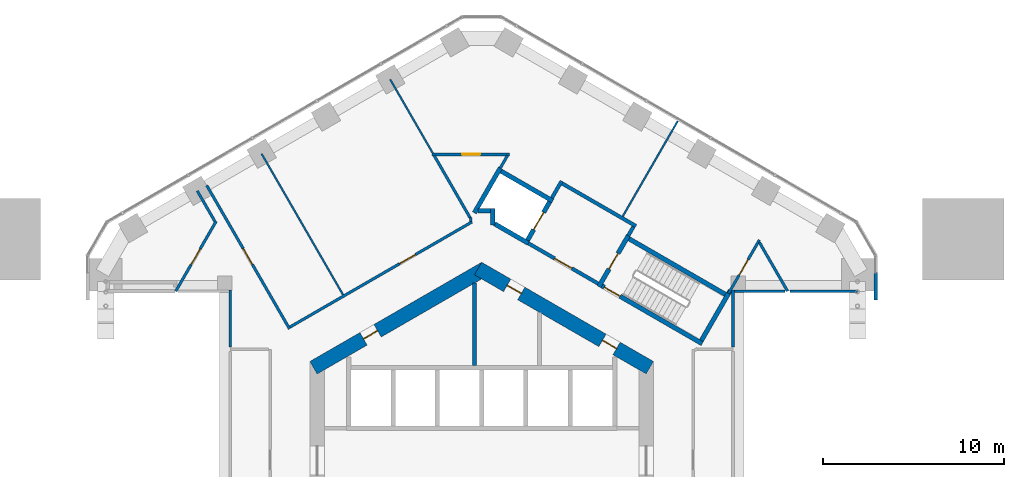
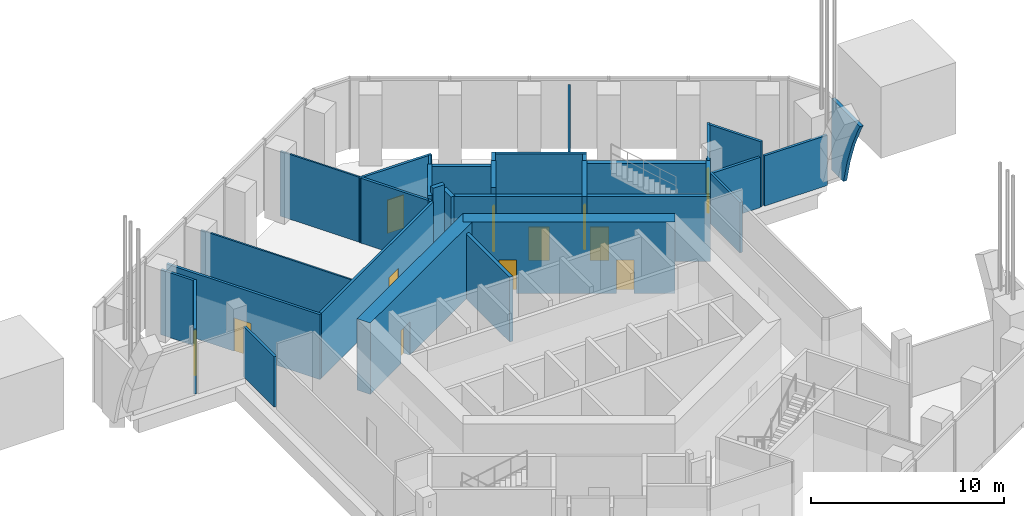
# One storey, part 11 of 14: 35 walls, 12 doors, 12 openings.
"""IFC4 building model written with IfcOpenShell, lengths in metres."""

import ifcopenshell
import ifcopenshell.guid

model = None  # the IFC model being written
_history = None  # IfcOwnerHistory: only IFC2X3 demands one
_inside = {}  # id of a spatial element -> (the spatial element, [elements in it])
_under = {}  # id of a project, library or spatial element -> (it, [spatial elements below it])
_declared = {}  # id of a project -> (the project, [libraries it declares])
_typed = {}  # id of a type object -> (the type object, [elements of that type])
_made_of = {}  # id of a material, layer set ... -> (it, [elements and type objects made of it])


def new_model(schema):
    """Start an empty IFC model of exactly this schema.

    Asked for "IFC4X3", IfcOpenShell would pick the latest addendum, in which some entities
    have other attributes; the version numbers below select the first issue.
    IFC2X3 requires an IfcOwnerHistory on every rooted entity: one is made here for all.
    """
    global model, _history
    if schema == "IFC4X3":
        model = ifcopenshell.file(schema_version=(4, 3, 0, 0))
    else:
        model = ifcopenshell.file(schema=schema)
    _inside.clear()
    _under.clear()
    _declared.clear()
    _typed.clear()
    _made_of.clear()
    _history = None
    if model.schema == "IFC2X3":
        org = make("IfcOrganization", Name="unknown")
        user = make(
            "IfcPersonAndOrganization",
            ThePerson=make("IfcPerson", FamilyName="unknown"),
            TheOrganization=org,
        )
        app = make(
            "IfcApplication",
            ApplicationDeveloper=org,
            Version="unknown",
            ApplicationFullName="unknown",
            ApplicationIdentifier="unknown",
        )
        _history = make(
            "IfcOwnerHistory",
            OwningUser=user,
            OwningApplication=app,
            ChangeAction="ADDED",
            CreationDate=0,
        )
    return model


def make(cls, **values):
    """One entity of the class cls with the attributes given. An attribute that is None is left unset."""
    return model.create_entity(
        cls, **{name: value for name, value in values.items() if value is not None}
    )


def rooted(cls, **values):
    """An entity with a GlobalId (a new one), such as an element, a storey or a relation."""
    return make(cls, GlobalId=ifcopenshell.guid.new(), OwnerHistory=_history, **values)


def si_unit(unit_type, name, prefix=None):
    """IfcSIUnit, for example si_unit("LENGTHUNIT", "METRE", prefix="MILLI")."""
    return make("IfcSIUnit", UnitType=unit_type, Prefix=prefix, Name=name)


def assignment(units):
    """IfcUnitAssignment: the units of a project."""
    return None if units is None else make("IfcUnitAssignment", Units=units)


def point(xyz):
    """IfcCartesianPoint."""
    return None if xyz is None else make("IfcCartesianPoint", Coordinates=xyz)


def direction(xyz):
    """IfcDirection."""
    return None if xyz is None else make("IfcDirection", DirectionRatios=xyz)


def frame(location, z_axis=None, x_axis=None):
    """IfcAxis2Placement3D, a coordinate frame: its origin and axes. An axis left out is left unset."""
    return make(
        "IfcAxis2Placement3D",
        Location=point(location),
        Axis=direction(z_axis),
        RefDirection=direction(x_axis),
    )


def frame_2d(location, x_axis=None):
    """IfcAxis2Placement2D, a coordinate frame in the plane: its origin and x axis."""
    return make(
        "IfcAxis2Placement2D", Location=point(location), RefDirection=direction(x_axis)
    )


def origin():
    """The frame at (0, 0, 0) with its axes left unset."""
    return frame((0.0, 0.0, 0.0))


def place(relative_to, where):
    """IfcLocalPlacement: puts the frame where relative to a parent placement (None: the world)."""
    return make(
        "IfcLocalPlacement", PlacementRelTo=relative_to, RelativePlacement=where
    )


def context(
    kind, dimensions, precision=None, world=None, true_north=None, identifier=None
):
    """IfcGeometricRepresentationContext, for example the 3D "Model" context."""
    return make(
        "IfcGeometricRepresentationContext",
        ContextIdentifier=identifier,
        ContextType=kind,
        CoordinateSpaceDimension=dimensions,
        Precision=precision,
        WorldCoordinateSystem=world,
        TrueNorth=true_north,
    )


def subcontext(parent, identifier, kind, view, scale=None):
    """IfcGeometricRepresentationSubContext, for example "Body" below "Model"."""
    return make(
        "IfcGeometricRepresentationSubContext",
        ContextIdentifier=identifier,
        ContextType=kind,
        ParentContext=parent,
        TargetScale=scale,
        TargetView=view,
    )


def project(units=None, contexts=None):
    """IfcProject with its units and contexts."""
    return rooted(
        "IfcProject",
        Name="project",
        RepresentationContexts=contexts,
        UnitsInContext=assignment(units),
    )


def spatial(cls, under=None, at=None, **own):
    """A site, building, storey or space (cls), placed at a placement, below another one or the project."""
    s = rooted(cls, ObjectPlacement=at, **own)
    if under is not None:
        _under.setdefault(under.id(), (under, []))[1].append(s)
    return s


def polyline(points):
    """IfcPolyline through the points."""
    return make("IfcPolyline", Points=[point(p) for p in points])


def profile(cls, at=None, kind="AREA", **sizes):
    """A parametric profile (cls). Its sizes go by their IFC names, for example OverallWidth=200.0."""
    return make(cls, ProfileType=kind, Position=at, **sizes)


def rectangle(**sizes):
    """IfcRectangleProfileDef."""
    return profile("IfcRectangleProfileDef", **sizes)


def outline(outer, holes=None, kind="AREA"):
    """IfcArbitraryClosedProfileDef: a profile drawn as a closed curve; with holes, ...WithVoids."""
    if holes is None:
        return make("IfcArbitraryClosedProfileDef", ProfileType=kind, OuterCurve=outer)
    return make(
        "IfcArbitraryProfileDefWithVoids",
        ProfileType=kind,
        OuterCurve=outer,
        InnerCurves=holes,
    )


def extrude(swept, where, along, depth):
    """IfcExtrudedAreaSolid: the profile swept, set in the frame where, extruded along a direction by depth."""
    return make(
        "IfcExtrudedAreaSolid",
        SweptArea=swept,
        Position=where,
        ExtrudedDirection=direction(along),
        Depth=depth,
    )


def shape(context_of_items, identifier, shape_type, items):
    """IfcShapeRepresentation: the items that make up one representation, for example the "Body"."""
    return make(
        "IfcShapeRepresentation",
        ContextOfItems=context_of_items,
        RepresentationIdentifier=identifier,
        RepresentationType=shape_type,
        Items=items,
    )


def material(Name=None, Category=None):
    """IfcMaterial."""
    return make("IfcMaterial", Name=Name, Category=Category)


def layer(
    of_material, thickness, ventilated=None, Name=None, Category=None, Priority=None
):
    """IfcMaterialLayer: one layer of a wall or slab, of a material (None: an air gap)."""
    return make(
        "IfcMaterialLayer",
        Material=of_material,
        LayerThickness=thickness,
        IsVentilated=ventilated,
        Name=Name,
        Category=Category,
        Priority=Priority,
    )


def layer_set(layers, Name=None):
    """IfcMaterialLayerSet."""
    return make("IfcMaterialLayerSet", MaterialLayers=layers, LayerSetName=Name)


def made_of(thing, what):
    """Note that an element or type object is made of a material, layer set ...; save() writes the relation."""
    if what is not None:
        _made_of.setdefault(what.id(), (what, []))[1].append(thing)
    return thing


def type_object(cls, material=None, **own):
    """A type object (cls), such as IfcWallType, which elements share."""
    return made_of(rooted(cls, **own), material)


def element(
    cls,
    number,
    at=None,
    inside=None,
    cuts=None,
    type_object=None,
    material=None,
    context=None,
    identifier="Body",
    shape_type=None,
    held_by="IfcProductDefinitionShape",
    body=None,
    shapes=None,
    **own,
):
    """One element of the class cls, such as IfcWall. Its Tag is "e" and its number.

    at: its placement. inside: the storey or other place that contains it. cuts: it is an
    opening in that element (IfcRelVoidsElement). A single representation is given by context,
    identifier, shape_type and body (its items); several are given by shapes. held_by: the class
    of the entity that holds the representations. save() writes the other relations.
    """
    e = rooted(cls, Tag="e%d" % number, ObjectPlacement=at, **own)
    if body is not None:
        shapes = [shape(context, identifier, shape_type, body)]
    if shapes is not None:
        e.Representation = make(held_by, Representations=shapes)
    if inside is not None:
        _inside.setdefault(inside.id(), (inside, []))[1].append(e)
    if cuts is not None:
        rooted(
            "IfcRelVoidsElement", RelatingBuildingElement=cuts, RelatedOpeningElement=e
        )
    if type_object is not None:
        _typed.setdefault(type_object.id(), (type_object, []))[1].append(e)
    return made_of(e, material)


def fill(opening, filler):
    """IfcRelFillsElement: the door or window that sits in an opening."""
    return rooted(
        "IfcRelFillsElement",
        RelatingOpeningElement=opening,
        RelatedBuildingElement=filler,
    )


def aggregate(whole, parts):
    """IfcRelAggregates: a whole, such as a stair, and the parts it consists of."""
    return rooted("IfcRelAggregates", RelatingObject=whole, RelatedObjects=parts)


def save(model, path):
    """Write the relations noted so far, then the file.

    IfcRelAggregates (storeys below a building ...), IfcRelContainedInSpatialStructure (elements
    in a storey), IfcRelDefinesByType, IfcRelAssociatesMaterial and IfcRelDeclares: one each for
    every whole, place, type object, material and project.
    """
    for whole, parts in _under.values():
        aggregate(whole, parts)
    for where, things in _inside.values():
        rooted(
            "IfcRelContainedInSpatialStructure",
            RelatedElements=things,
            RelatingStructure=where,
        )
    for kind, things in _typed.values():
        rooted("IfcRelDefinesByType", RelatedObjects=things, RelatingType=kind)
    for what, things in _made_of.values():
        rooted("IfcRelAssociatesMaterial", RelatedObjects=things, RelatingMaterial=what)
    for by, libraries in _declared.values():
        rooted("IfcRelDeclares", RelatingContext=by, RelatedDefinitions=libraries)
    model.write(path)


model = new_model("IFC4")

# Units and contexts
model_context = context("Model", 3, precision=1e-05, world=origin(), true_north=direction((0.0, 1.0)))
body_context = subcontext(model_context, "Body", "Model", "MODEL_VIEW")
ifc_project = project(units=[si_unit("LENGTHUNIT", "METRE"), si_unit("AREAUNIT", "SQUARE_METRE"), si_unit("VOLUMEUNIT", "CUBIC_METRE"), si_unit("PLANEANGLEUNIT", "RADIAN"), si_unit("MASSUNIT", "GRAM", prefix="KILO")], contexts=[model_context])

# Site, building, storey
site_placement = place(None, origin())
site = spatial("IfcSite", under=ifc_project, at=site_placement, CompositionType="ELEMENT")
building_placement = place(site_placement, origin())
building = spatial("IfcBuilding", under=site, at=building_placement, Name="Ayvan Gate Tower", CompositionType="ELEMENT")
storey_placement = place(building_placement, frame((0.0, 0.0, 7.0)))
storey = spatial("IfcBuildingStorey", under=building, at=storey_placement, Name="L01", CompositionType="ELEMENT", Elevation=7.0)

# Wall
ifc_material_1 = material(Name="Pale metal cladding on insulated wall")
ifc_layer_1 = layer(ifc_material_1, 0.199951171875)
ifc_layer_set_1 = layer_set([ifc_layer_1], Name="Pale metal cladding on insulated wall")
wall_type_1 = type_object("IfcWallType", Name="Arch tympanum wall 200", PredefinedType="SOLIDWALL", material=ifc_layer_set_1)
wall_1_placement = place(storey_placement, frame((21.6845703125, 10.399658203125, 0.0), z_axis=(-1.0, 0.0, 0.0), x_axis=(0.0, -1.0, 0.0)))
element("IfcWall", 1, at=wall_1_placement, inside=storey, type_object=wall_type_1, Name="Arch tympanum wall L01 face 0", PredefinedType="SOLIDWALL", context=body_context, shape_type="SweptSolid", body=[
    extrude(outline(polyline([(0.0, 0.0), (1.222900390625, 0.0), (1.582763671875, 1.421142578125), (2.091552734375, 2.8271484375), (2.737060546875, 4.17578125), (2.933837890625, 4.5), (0.0, 4.5), (0.0, 0.0)])), origin(), (0.0, 0.0, -1.0), 0.199951171875),
])

# Wall, openings, doors
ifc_material_2 = material(Name="Concrete C70/85", Category="concrete")
ifc_layer_2 = layer(ifc_material_2, 0.800048828125)
ifc_layer_set_2 = layer_set([ifc_layer_2], Name="Concrete C70/85")
wall_type_2 = type_object("IfcWallType", Name="Core wall 800 C70/85", PredefinedType="SHEAR", material=ifc_layer_set_2)
wall_2_placement = place(storey_placement, frame((9.300048828125, 5.138427734375, 0.0), z_axis=(0.0, 0.0, 1.0), x_axis=(-0.866023993627, 0.500002442456, 0.0)))
wall_2 = element("IfcWall", 2, at=wall_2_placement, inside=storey, type_object=wall_type_2, Name="CORE-L01-1", PredefinedType="SHEAR", context=body_context, shape_type="SweptSolid", body=[
    extrude(rectangle(XDim=10.9697265625, YDim=0.800048828125, at=frame_2d((5.48486328125, 0.0))), origin(), (0.0, 0.0, 1.0), 4.5),
])
opening_1_placement = place(wall_2_placement, frame((8.209716796875, 0.0, 0.0)))
opening_1 = element("IfcOpeningElement", 3, at=opening_1_placement, cuts=wall_2, Name="Opening L01-D28", PredefinedType="OPENING", context=body_context, shape_type="SweptSolid", body=[
    extrude(rectangle(XDim=0.89990234375, YDim=2.10009765625, at=frame_2d((0.449951171875, 1.050048828125))), frame((0.0, 0.409912109375, 0.0), z_axis=(0.0, -1.0, 0.0), x_axis=(1.0, 0.0, 0.0)), (0.0, 0.0, 1.0), 0.820068359375),
])
opening_2_placement = place(wall_2_placement, frame((2.1259765625, 0.0, 0.0)))
opening_2 = element("IfcOpeningElement", 4, at=opening_2_placement, cuts=wall_2, Name="Opening L01-D29", PredefinedType="OPENING", context=body_context, shape_type="SweptSolid", body=[
    extrude(rectangle(XDim=0.89990234375, YDim=2.10009765625, at=frame_2d((0.449951171875, 1.050048828125))), frame((0.0, 0.409912109375, 0.0), z_axis=(0.0, -1.0, 0.0), x_axis=(1.0, 0.0, 0.0)), (0.0, 0.0, 1.0), 0.820068359375),
])
ifc_material_3 = material(Name="Timber door leaf", Category="wood")
door_type_1 = type_object("IfcDoorType", Name="DT-900", OperationType="NOTDEFINED", PredefinedType="DOOR", material=ifc_material_3)
door_1_placement = place(opening_1_placement, origin())
door_1 = element("IfcDoor", 5, at=door_1_placement, inside=storey, type_object=door_type_1, Name="CD-L01-28", OperationType="SINGLE_SWING_LEFT", OverallHeight=2.10009765625, OverallWidth=0.89990234375, PredefinedType="DOOR", context=body_context, shape_type="SweptSolid", body=[
    extrude(rectangle(XDim=0.89990234375, YDim=2.10009765625, at=frame_2d((0.449951171875, 1.050048828125))), frame((0.0, 0.02490234375, 0.0), z_axis=(0.0, -1.0, 0.0), x_axis=(1.0, 0.0, 0.0)), (0.0, 0.0, 1.0), 0.050048828125),
])
fill(opening_1, door_1)
door_2_placement = place(opening_2_placement, origin())
door_2 = element("IfcDoor", 6, at=door_2_placement, inside=storey, type_object=door_type_1, Name="CD-L01-29", OperationType="SINGLE_SWING_RIGHT", OverallHeight=2.10009765625, OverallWidth=0.89990234375, PredefinedType="DOOR", context=body_context, shape_type="SweptSolid", body=[
    extrude(rectangle(XDim=0.89990234375, YDim=2.10009765625, at=frame_2d((0.449951171875, 1.050048828125))), frame((0.0, 0.02490234375, 0.0), z_axis=(0.0, -1.0, 0.0), x_axis=(1.0, 0.0, 0.0)), (0.0, 0.0, 1.0), 0.050048828125),
])
fill(opening_2, door_2)

# Wall, opening, door
wall_3_placement = place(storey_placement, frame((0.199951171875, 10.623291015625, 0.0), z_axis=(0.0, 0.0, 1.0), x_axis=(-0.866023993627, -0.500002442456, 0.0)))
wall_3 = element("IfcWall", 7, at=wall_3_placement, inside=storey, type_object=wall_type_2, Name="CORE-L01-2", PredefinedType="SHEAR", context=body_context, shape_type="SweptSolid", body=[
    extrude(rectangle(XDim=10.9697265625, YDim=0.800048828125, at=frame_2d((5.48486328125, 0.0))), origin(), (0.0, 0.0, 1.0), 4.5),
])
opening_3_placement = place(wall_3_placement, frame((6.877197265625, 0.0, 0.0)))
opening_3 = element("IfcOpeningElement", 8, at=opening_3_placement, cuts=wall_3, Name="Opening L01-D27", PredefinedType="OPENING", context=body_context, shape_type="SweptSolid", body=[
    extrude(rectangle(XDim=0.89990234375, YDim=2.10009765625, at=frame_2d((0.449951171875, 1.050048828125))), frame((0.0, 0.409912109375, 0.0), z_axis=(0.0, -1.0, 0.0), x_axis=(1.0, 0.0, 0.0)), (0.0, 0.0, 1.0), 0.820068359375),
])
door_3_placement = place(opening_3_placement, origin())
door_3 = element("IfcDoor", 9, at=door_3_placement, inside=storey, type_object=door_type_1, Name="CD-L01-27", OperationType="SINGLE_SWING_RIGHT", OverallHeight=2.10009765625, OverallWidth=0.89990234375, PredefinedType="DOOR", context=body_context, shape_type="SweptSolid", body=[
    extrude(rectangle(XDim=0.89990234375, YDim=2.10009765625, at=frame_2d((0.449951171875, 1.050048828125))), frame((0.0, 0.02490234375, 0.0), z_axis=(0.0, -1.0, 0.0), x_axis=(1.0, 0.0, 0.0)), (0.0, 0.0, 1.0), 0.050048828125),
])
fill(opening_3, door_3)

ifc_material_4 = material(Name="Plasterboard on steel stud", Category="steel")
ifc_layer_3 = layer(ifc_material_4, 0.14990234375)
ifc_layer_set_3 = layer_set([ifc_layer_3], Name="Plasterboard on steel stud")
wall_type_3 = type_object("IfcWallType", Name="WT-CORR-150", PredefinedType="PARTITIONING", material=ifc_layer_set_3)
wall_4_placement = place(storey_placement, frame((-16.918701171875, 9.367919921875, 0.0), z_axis=(0.0, 0.0, 1.0), x_axis=(0.500009203373, 0.866020090149, 0.0)))
wall_4 = element("IfcWall", 10, at=wall_4_placement, inside=storey, type_object=wall_type_3, Name="IW-L01-005", PredefinedType="PARTITIONING", context=body_context, shape_type="SweptSolid", body=[
    extrude(rectangle(XDim=4.47119140625, YDim=0.14990234375, at=frame_2d((2.235595703125, 0.0))), origin(), (0.0, 0.0, 1.0), 4.10009765625),
])
opening_4_placement = place(wall_4_placement, frame((1.697998046875, 0.0, 0.0)))
opening_4 = element("IfcOpeningElement", 11, at=opening_4_placement, cuts=wall_4, Name="Opening L01-D20", PredefinedType="OPENING", context=body_context, shape_type="SweptSolid", body=[
    extrude(rectangle(XDim=1.0, YDim=2.10009765625, at=frame_2d((0.5, 1.050048828125))), frame((0.0, 0.0849609375, 0.0), z_axis=(0.0, -1.0, 0.0), x_axis=(1.0, 0.0, 0.0)), (0.0, 0.0, 1.0), 0.169921875),
])
door_type_2 = type_object("IfcDoorType", Name="DT-1000", OperationType="NOTDEFINED", PredefinedType="DOOR", material=ifc_material_3)
door_4_placement = place(opening_4_placement, origin())
door_4 = element("IfcDoor", 12, at=door_4_placement, inside=storey, type_object=door_type_2, Name="ID-L01-020", OperationType="SINGLE_SWING_LEFT", OverallHeight=2.10009765625, OverallWidth=1.0, PredefinedType="DOOR", context=body_context, shape_type="SweptSolid", body=[
    extrude(rectangle(XDim=1.0, YDim=2.10009765625, at=frame_2d((0.5, 1.050048828125))), frame((0.0, 0.02490234375, 0.0), z_axis=(0.0, -1.0, 0.0), x_axis=(1.0, 0.0, 0.0)), (0.0, 0.0, 1.0), 0.050048828125),
])
fill(opening_4, door_4)

wall_5_placement = place(storey_placement, frame((-15.205078125, 15.221435546875, 0.0), z_axis=(0.0, 0.0, 1.0), x_axis=(0.500006245143, -0.86602179812, 0.0)))
wall_5 = element("IfcWall", 13, at=wall_5_placement, inside=storey, type_object=wall_type_3, Name="IW-L01-008", PredefinedType="PARTITIONING", context=body_context, shape_type="SweptSolid", body=[
    extrude(rectangle(XDim=9.15966796875, YDim=0.14990234375, at=frame_2d((4.579833984375, 0.0))), origin(), (0.0, 0.0, 1.0), 4.10009765625),
])
opening_5_placement = place(wall_5_placement, frame((4.042236328125, 0.0, 0.0)))
opening_5 = element("IfcOpeningElement", 14, at=opening_5_placement, cuts=wall_5, Name="Opening L01-D18", PredefinedType="OPENING", context=body_context, shape_type="SweptSolid", body=[
    extrude(rectangle(XDim=1.0, YDim=2.10009765625, at=frame_2d((0.5, 1.050048828125))), frame((0.0, 0.0849609375, 0.0), z_axis=(0.0, -1.0, 0.0), x_axis=(1.0, 0.0, 0.0)), (0.0, 0.0, 1.0), 0.169921875),
])
door_5_placement = place(opening_5_placement, origin())
door_5 = element("IfcDoor", 15, at=door_5_placement, inside=storey, type_object=door_type_2, Name="ID-L01-018", OperationType="SINGLE_SWING_LEFT", OverallHeight=2.10009765625, OverallWidth=1.0, PredefinedType="DOOR", context=body_context, shape_type="SweptSolid", body=[
    extrude(rectangle(XDim=1.0, YDim=2.10009765625, at=frame_2d((0.5, 1.050048828125))), frame((0.0, 0.02490234375, 0.0), z_axis=(0.0, -1.0, 0.0), x_axis=(1.0, 0.0, 0.0)), (0.0, 0.0, 1.0), 0.050048828125),
])
fill(opening_5, door_5)

# Walls
wall_6_placement = place(storey_placement, frame((-14.758056640625, 13.239990234375, 0.0), z_axis=(0.0, 0.0, 1.0), x_axis=(-0.49998396455, 0.866034661658, 0.0)))
element("IfcWall", 16, at=wall_6_placement, inside=storey, type_object=wall_type_3, Name="IW-L01-009", PredefinedType="PARTITIONING", context=body_context, shape_type="SweptSolid", body=[
    extrude(rectangle(XDim=1.939453125, YDim=0.14990234375, at=frame_2d((0.9697265625, 0.0))), origin(), (0.0, 0.0, 1.0), 4.10009765625),
])
wall_7_placement = place(storey_placement, frame((-13.89990234375, 6.28076171875, 0.0), z_axis=(0.0, 0.0, 1.0), x_axis=(0.0, 1.0, 0.0)))
element("IfcWall", 17, at=wall_7_placement, inside=storey, type_object=wall_type_3, Name="IW-L01-013", PredefinedType="PARTITIONING", context=body_context, shape_type="SweptSolid", body=[
    extrude(rectangle(XDim=3.162109375, YDim=0.14990234375, at=frame_2d((1.5810546875, 0.0))), origin(), (0.0, 0.0, 1.0), 3.175048828125),
])

# Wall, opening, door
wall_8_placement = place(storey_placement, frame((-10.59765625, 7.391357421875, 0.0), z_axis=(0.0, 0.0, 1.0), x_axis=(0.866022183431, 0.500005577774, 0.0)))
wall_8 = element("IfcWall", 18, at=wall_8_placement, inside=storey, type_object=wall_type_3, Name="IW-L01-022", PredefinedType="PARTITIONING", context=body_context, shape_type="SweptSolid", body=[
    extrude(rectangle(XDim=11.619384765625, YDim=0.14990234375, at=frame_2d((5.8095703125, 0.0))), origin(), (0.0, 0.0, 1.0), 4.10009765625),
])
opening_6_placement = place(wall_8_placement, frame((7.00146484375, 0.0, 0.0)))
opening_6 = element("IfcOpeningElement", 19, at=opening_6_placement, cuts=wall_8, Name="Opening L01-D17", PredefinedType="OPENING", context=body_context, shape_type="SweptSolid", body=[
    extrude(rectangle(XDim=1.0, YDim=2.10009765625, at=frame_2d((0.5, 1.050048828125))), frame((0.0, 0.0849609375, 0.0), z_axis=(0.0, -1.0, 0.0), x_axis=(1.0, 0.0, 0.0)), (0.0, 0.0, 1.0), 0.169921875),
])
door_6_placement = place(opening_6_placement, origin())
door_6 = element("IfcDoor", 20, at=door_6_placement, inside=storey, type_object=door_type_2, Name="ID-L01-017", OperationType="SINGLE_SWING_RIGHT", OverallHeight=2.10009765625, OverallWidth=1.0, PredefinedType="DOOR", context=body_context, shape_type="SweptSolid", body=[
    extrude(rectangle(XDim=1.0, YDim=2.10009765625, at=frame_2d((0.5, 1.050048828125))), frame((0.0, 0.02490234375, 0.0), z_axis=(0.0, -1.0, 0.0), x_axis=(1.0, 0.0, 0.0)), (0.0, 0.0, 1.0), 0.050048828125),
])
fill(opening_6, door_6)

wall_9_placement = place(storey_placement, frame((-2.739013671875, 16.935791015625, 0.0), z_axis=(0.0, 0.0, 1.0), x_axis=(1.0, 0.0, 0.0)))
wall_9 = element("IfcWall", 21, at=wall_9_placement, inside=storey, type_object=wall_type_3, Name="IW-L01-047", PredefinedType="PARTITIONING", context=body_context, shape_type="SweptSolid", body=[
    extrude(rectangle(XDim=4.278076171875, YDim=0.14990234375, at=frame_2d((2.13916015625, 0.0))), origin(), (0.0, 0.0, 1.0), 4.10009765625),
])
opening_7_placement = place(wall_9_placement, frame((1.656494140625, 0.0, 0.0)))
opening_7 = element("IfcOpeningElement", 22, at=opening_7_placement, cuts=wall_9, Name="Opening L01-D19", PredefinedType="OPENING", context=body_context, shape_type="SweptSolid", body=[
    extrude(rectangle(XDim=1.0, YDim=2.10009765625, at=frame_2d((0.5, 1.050048828125))), frame((0.0, 0.0849609375, 0.0), z_axis=(0.0, -1.0, 0.0), x_axis=(1.0, 0.0, 0.0)), (0.0, 0.0, 1.0), 0.169921875),
])
door_7_placement = place(opening_7_placement, origin())
door_7 = element("IfcDoor", 23, at=door_7_placement, inside=storey, type_object=door_type_2, Name="ID-L01-019", OperationType="SINGLE_SWING_RIGHT", OverallHeight=2.10009765625, OverallWidth=1.0, PredefinedType="DOOR", context=body_context, shape_type="SweptSolid", body=[
    extrude(rectangle(XDim=1.0, YDim=2.10009765625, at=frame_2d((0.5, 1.050048828125))), frame((0.0, 0.02490234375, 0.0), z_axis=(0.0, -1.0, 0.0), x_axis=(1.0, 0.0, 0.0)), (0.0, 0.0, 1.0), 0.050048828125),
])
fill(opening_7, door_7)

# Walls
wall_10_placement = place(storey_placement, frame((-0.60009765625, 13.238525390625, 0.0), z_axis=(0.0, 0.0, 1.0), x_axis=(0.0, 1.0, 0.0)))
element("IfcWall", 24, at=wall_10_placement, inside=storey, type_object=wall_type_3, Name="IW-L01-057", PredefinedType="PARTITIONING", context=body_context, shape_type="SweptSolid", body=[
    extrude(rectangle(XDim=0.197265625, YDim=0.14990234375, at=frame_2d((0.0986328125, 0.0))), origin(), (0.0, 0.0, 1.0), 4.10009765625),
])
wall_11_placement = place(storey_placement, frame((-0.637451171875, 13.42578125, 0.0), z_axis=(0.0, 0.0, 1.0), x_axis=(-0.500046503579, 0.865998553266, 0.0)))
element("IfcWall", 25, at=wall_11_placement, inside=storey, type_object=wall_type_3, Name="IW-L01-058", PredefinedType="PARTITIONING", context=body_context, shape_type="SweptSolid", body=[
    extrude(rectangle(XDim=3.97802734375, YDim=0.14990234375, at=frame_2d((1.989013671875, 0.0))), origin(), (0.0, 0.0, 1.0), 4.10009765625),
])
wall_12_placement = place(storey_placement, frame((1.426513671875, 16.870849609375, 0.0), z_axis=(0.0, 0.0, 1.0), x_axis=(-0.499951716245, -0.866053278629, 0.0)))
element("IfcWall", 26, at=wall_12_placement, inside=storey, type_object=wall_type_3, Name="IW-L01-067", PredefinedType="PARTITIONING", context=body_context, shape_type="SweptSolid", body=[
    extrude(rectangle(XDim=0.798828125, YDim=0.14990234375, at=frame_2d((0.3994140625, 0.0))), origin(), (0.0, 0.0, 1.0), 4.10009765625),
])

# Wall, opening, door
wall_13_placement = place(storey_placement, frame((13.647705078125, 9.23876953125, 0.0), z_axis=(0.0, 0.0, 1.0), x_axis=(0.500000491645, 0.866025119933, 0.0)))
wall_13 = element("IfcWall", 27, at=wall_13_placement, inside=storey, type_object=wall_type_3, Name="IW-L01-107", PredefinedType="PARTITIONING", context=body_context, shape_type="SweptSolid", body=[
    extrude(rectangle(XDim=3.42041015625, YDim=0.14990234375, at=frame_2d((1.710205078125, 0.0))), origin(), (0.0, 0.0, 1.0), 4.10009765625),
])
opening_8_placement = place(wall_13_placement, frame((1.172607421875, 0.0, 0.0)))
opening_8 = element("IfcOpeningElement", 28, at=opening_8_placement, cuts=wall_13, Name="Opening L01-D23", PredefinedType="OPENING", context=body_context, shape_type="SweptSolid", body=[
    extrude(rectangle(XDim=1.0, YDim=2.10009765625, at=frame_2d((0.5, 1.050048828125))), frame((0.0, 0.0849609375, 0.0), z_axis=(0.0, -1.0, 0.0), x_axis=(1.0, 0.0, 0.0)), (0.0, 0.0, 1.0), 0.169921875),
])
door_8_placement = place(opening_8_placement, origin())
door_8 = element("IfcDoor", 29, at=door_8_placement, inside=storey, type_object=door_type_2, Name="ID-L01-023", OperationType="SINGLE_SWING_RIGHT", OverallHeight=2.10009765625, OverallWidth=1.0, PredefinedType="DOOR", context=body_context, shape_type="SweptSolid", body=[
    extrude(rectangle(XDim=1.0, YDim=2.10009765625, at=frame_2d((0.5, 1.050048828125))), frame((0.0, 0.02490234375, 0.0), z_axis=(0.0, -1.0, 0.0), x_axis=(1.0, 0.0, 0.0)), (0.0, 0.0, 1.0), 0.050048828125),
])
fill(opening_8, door_8)

# Walls
wall_14_placement = place(storey_placement, frame((13.89990234375, 9.44287109375, 0.0), z_axis=(0.0, 0.0, 1.0), x_axis=(0.0, -1.0, 0.0)))
element("IfcWall", 30, at=wall_14_placement, inside=storey, type_object=wall_type_3, Name="IW-L01-113", PredefinedType="PARTITIONING", context=body_context, shape_type="SweptSolid", body=[
    extrude(rectangle(XDim=3.162109375, YDim=0.14990234375, at=frame_2d((1.5810546875, 0.0))), origin(), (0.0, 0.0, 1.0), 3.175048828125),
])
wall_15_placement = place(storey_placement, frame((15.35791015625, 12.07080078125, 0.0), z_axis=(0.0, 0.0, 1.0), x_axis=(0.500067767496, -0.865986274667, 0.0)))
element("IfcWall", 31, at=wall_15_placement, inside=storey, type_object=wall_type_3, Name="IW-L01-116", PredefinedType="PARTITIONING", context=body_context, shape_type="SweptSolid", body=[
    extrude(rectangle(XDim=3.12109375, YDim=0.14990234375, at=frame_2d((1.560546875, 0.0))), origin(), (0.0, 0.0, 1.0), 4.10009765625),
])
wall_16_placement = place(storey_placement, frame((16.780029296875, 9.367919921875, 0.0), z_axis=(0.0, 0.0, 1.0), x_axis=(-1.0, 0.0, 0.0)))
element("IfcWall", 32, at=wall_16_placement, inside=storey, type_object=wall_type_3, Name="IW-L01-117", PredefinedType="PARTITIONING", context=body_context, shape_type="SweptSolid", body=[
    extrude(rectangle(XDim=2.804931640625, YDim=0.14990234375, at=frame_2d((1.40234375, 0.0))), origin(), (0.0, 0.0, 1.0), 3.175048828125),
])
wall_17_placement = place(storey_placement, frame((20.78466796875, 9.367919921875, 0.0), z_axis=(0.0, 0.0, 1.0), x_axis=(-1.0, 0.0, 0.0)))
element("IfcWall", 33, at=wall_17_placement, inside=storey, type_object=wall_type_3, Name="IW-L01-118", PredefinedType="PARTITIONING", context=body_context, shape_type="SweptSolid", body=[
    extrude(rectangle(XDim=3.74609375, YDim=0.14990234375, at=frame_2d((1.873046875, 0.0))), origin(), (0.0, 0.0, 1.0), 3.175048828125),
])
ifc_layer_4 = layer(ifc_material_4, 0.10009765625)
ifc_layer_set_4 = layer_set([ifc_layer_4], Name="Plasterboard on steel stud")
wall_type_4 = type_object("IfcWallType", Name="WT-PART-100", PredefinedType="PARTITIONING", material=ifc_layer_set_4)
wall_18_placement = place(storey_placement, frame((-7.666015625, 9.170654296875, 0.0), z_axis=(0.0, 0.0, 1.0), x_axis=(-0.500009404554, 0.866019973994, 0.0)))
element("IfcWall", 34, at=wall_18_placement, inside=storey, type_object=wall_type_4, Name="IW-L01-029", PredefinedType="PARTITIONING", context=body_context, shape_type="SweptSolid", body=[
    extrude(rectangle(XDim=9.009521484375, YDim=0.10009765625, at=frame_2d((4.5048828125, 0.0))), origin(), (0.0, 0.0, 1.0), 4.10009765625),
])
wall_19_placement = place(storey_placement, frame((-5.056884765625, 21.080322265625, 0.0), z_axis=(0.0, 0.0, 1.0), x_axis=(0.500018540756, -0.866014699009, 0.0)))
element("IfcWall", 35, at=wall_19_placement, inside=storey, type_object=wall_type_4, Name="IW-L01-040", PredefinedType="PARTITIONING", context=body_context, shape_type="SweptSolid", body=[
    extrude(rectangle(XDim=4.710693359375, YDim=0.10009765625, at=frame_2d((2.35546875, 0.0))), origin(), (0.0, 0.0, 1.0), 4.10009765625),
])
wall_20_placement = place(storey_placement, frame((10.84033203125, 18.77587890625, 0.0), z_axis=(0.0, 0.0, 1.0), x_axis=(-0.500003976293, -0.866023108059, 0.0)))
element("IfcWall", 36, at=wall_20_placement, inside=storey, type_object=wall_type_4, Name="IW-L01-098", PredefinedType="PARTITIONING", context=body_context, shape_type="SweptSolid", body=[
    extrude(rectangle(XDim=6.08056640625, YDim=0.10009765625, at=frame_2d((3.040283203125, 0.0))), origin(), (0.0, 0.0, 1.0), 4.10009765625),
])
ifc_layer_5 = layer(ifc_material_4, 0.199951171875)
ifc_layer_set_5 = layer_set([ifc_layer_5], Name="Plasterboard on steel stud")
wall_type_5 = type_object("IfcWallType", Name="WT-RATED-200", PredefinedType="PARTITIONING", material=ifc_layer_set_5)
wall_21_placement = place(storey_placement, frame((-0.39990234375, 9.81494140625, 0.0), z_axis=(0.0, 0.0, 1.0), x_axis=(0.0, -1.0, 0.0)))
element("IfcWall", 37, at=wall_21_placement, inside=storey, type_object=wall_type_5, Name="IW-L01-059", PredefinedType="PARTITIONING", context=body_context, shape_type="SweptSolid", body=[
    extrude(rectangle(XDim=4.5400390625, YDim=0.199951171875, at=frame_2d((2.27001953125, 0.0))), origin(), (0.0, 0.0, 1.0), 4.10009765625),
])
wall_22_placement = place(storey_placement, frame((3.885009765625, 14.52880859375, 0.0), z_axis=(0.0, 0.0, 1.0), x_axis=(0.499997628298, 0.866026773083, 0.0)))
element("IfcWall", 38, at=wall_22_placement, inside=storey, type_object=wall_type_5, Name="IW-L01-077", PredefinedType="PARTITIONING", context=body_context, shape_type="SweptSolid", body=[
    extrude(rectangle(XDim=1.0751953125, YDim=0.199951171875, at=frame_2d((0.53759765625, 0.0))), origin(), (0.0, 0.0, 1.0), 4.10009765625),
])
wall_23_placement = place(storey_placement, frame((4.458984375, 15.323486328125, 0.0), z_axis=(0.0, 0.0, 1.0), x_axis=(0.866016039709, -0.500016218704, 0.0)))
element("IfcWall", 39, at=wall_23_placement, inside=storey, type_object=wall_type_5, Name="IW-L01-079", PredefinedType="PARTITIONING", context=body_context, shape_type="SweptSolid", body=[
    extrude(rectangle(XDim=4.699951171875, YDim=0.199951171875, at=frame_2d((2.35009765625, 0.0))), origin(), (0.0, 0.0, 1.0), 4.10009765625),
])

# Wall, opening, door
wall_24_placement = place(storey_placement, frame((6.4345703125, 9.794921875, 0.0), z_axis=(0.0, 0.0, 1.0), x_axis=(-0.866012907634, 0.500021643343, 0.0)))
wall_24 = element("IfcWall", 40, at=wall_24_placement, inside=storey, type_object=wall_type_5, Name="IW-L01-082", PredefinedType="PARTITIONING", context=body_context, shape_type="SweptSolid", body=[
    extrude(rectangle(XDim=4.449951171875, YDim=0.199951171875, at=frame_2d((2.22509765625, 0.0))), origin(), (0.0, 0.0, 1.0), 4.10009765625),
])
opening_9_placement = place(wall_24_placement, frame((1.675048828125, 0.0, 0.0)))
opening_9 = element("IfcOpeningElement", 41, at=opening_9_placement, cuts=wall_24, Name="Opening L01-D08", PredefinedType="OPENING", context=body_context, shape_type="SweptSolid", body=[
    extrude(rectangle(XDim=1.10009765625, YDim=2.10009765625, at=frame_2d((0.550048828125, 1.050048828125))), frame((0.0, 0.10986328125, 0.0), z_axis=(0.0, -1.0, 0.0), x_axis=(1.0, 0.0, 0.0)), (0.0, 0.0, 1.0), 0.219970703125),
])
door_type_3 = type_object("IfcDoorType", Name="DT-1100", OperationType="NOTDEFINED", PredefinedType="DOOR", material=ifc_material_3)
door_9_placement = place(opening_9_placement, origin())
door_9 = element("IfcDoor", 42, at=door_9_placement, inside=storey, type_object=door_type_3, Name="ID-L01-008", OperationType="SINGLE_SWING_LEFT", OverallHeight=2.10009765625, OverallWidth=1.10009765625, PredefinedType="DOOR", context=body_context, shape_type="SweptSolid", body=[
    extrude(rectangle(XDim=1.10009765625, YDim=2.10009765625, at=frame_2d((0.550048828125, 1.050048828125))), frame((0.0, 0.02490234375, 0.0), z_axis=(0.0, -1.0, 0.0), x_axis=(1.0, 0.0, 0.0)), (0.0, 0.0, 1.0), 0.050048828125),
])
fill(opening_9, door_9)

# Walls
wall_25_placement = place(storey_placement, frame((8.392822265625, 12.936767578125, 0.0), z_axis=(0.0, 0.0, 1.0), x_axis=(-0.500065409566, -0.86598763626, 0.0)))
element("IfcWall", 43, at=wall_25_placement, inside=storey, type_object=wall_type_5, Name="IW-L01-091", PredefinedType="PARTITIONING", context=body_context, shape_type="SweptSolid", body=[
    extrude(rectangle(XDim=0.5751953125, YDim=0.199951171875, at=frame_2d((0.28759765625, 0.0))), origin(), (0.0, 0.0, 1.0), 4.10009765625),
])
ifc_material_5 = material(Name="Concrete C50/60", Category="concrete")
ifc_layer_6 = layer(ifc_material_5, 0.25)
ifc_layer_set_6 = layer_set([ifc_layer_6], Name="Concrete C50/60")
wall_type_6 = type_object("IfcWallType", Name="WT-RC-250", PredefinedType="SHEAR", material=ifc_layer_set_6)
wall_26_placement = place(storey_placement, frame((-0.403076171875, 13.70166015625, 0.0), z_axis=(0.0, 0.0, 1.0), x_axis=(0.499976111731, 0.866039195244, 0.0)))
element("IfcWall", 44, at=wall_26_placement, inside=storey, type_object=wall_type_6, Name="IW-L01-060", PredefinedType="SHEAR", context=body_context, shape_type="SweptSolid", body=[
    extrude(rectangle(XDim=2.860595703125, YDim=0.25, at=frame_2d((1.43017578125, 0.0))), origin(), (0.0, 0.0, 1.0), 4.10009765625),
])
wall_27_placement = place(storey_placement, frame((0.60009765625, 13.03857421875, 0.0), z_axis=(0.0, 0.0, 1.0), x_axis=(0.0, 1.0, 0.0)))
element("IfcWall", 45, at=wall_27_placement, inside=storey, type_object=wall_type_6, Name="IW-L01-064", PredefinedType="SHEAR", context=body_context, shape_type="SweptSolid", body=[
    extrude(rectangle(XDim=0.896484375, YDim=0.25, at=frame_2d((0.4482421875, 0.0))), origin(), (0.0, 0.0, 1.0), 4.10009765625),
])
wall_28_placement = place(storey_placement, frame((0.47509765625, 13.81005859375, 0.0), z_axis=(0.0, 0.0, 1.0), x_axis=(-1.0, 0.0, 0.0)))
element("IfcWall", 46, at=wall_28_placement, inside=storey, type_object=wall_type_6, Name="IW-L01-065", PredefinedType="SHEAR", context=body_context, shape_type="SweptSolid", body=[
    extrude(rectangle(XDim=0.690673828125, YDim=0.25, at=frame_2d((0.34521484375, 0.0))), origin(), (0.0, 0.0, 1.0), 4.5),
])
wall_29_placement = place(storey_placement, frame((1.072998046875, 16.00830078125, 0.0), z_axis=(0.0, 0.0, 1.0), x_axis=(0.866040211805, -0.499974350878, 0.0)))
element("IfcWall", 47, at=wall_29_placement, inside=storey, type_object=wall_type_6, Name="IW-L01-066", PredefinedType="SHEAR", context=body_context, shape_type="SweptSolid", body=[
    extrude(rectangle(XDim=3.300048828125, YDim=0.25, at=frame_2d((1.64990234375, 0.0))), origin(), (0.0, 0.0, 1.0), 4.10009765625),
])
wall_30_placement = place(storey_placement, frame((2.580810546875, 12.02001953125, 0.0), z_axis=(0.0, 0.0, 1.0), x_axis=(-0.86603892542, 0.499976579108, 0.0)))
element("IfcWall", 48, at=wall_30_placement, inside=storey, type_object=wall_type_6, Name="IW-L01-072", PredefinedType="SHEAR", context=body_context, shape_type="SweptSolid", body=[
    extrude(rectangle(XDim=2.162109375, YDim=0.25, at=frame_2d((1.0810546875, 0.0))), origin(), (0.0, 0.0, 1.0), 4.10009765625),
])

# Wall, opening, door
wall_31_placement = place(storey_placement, frame((2.534912109375, 12.19091796875, 0.0), z_axis=(0.0, 0.0, 1.0), x_axis=(0.500061746146, 0.865989751695, 0.0)))
wall_31 = element("IfcWall", 49, at=wall_31_placement, inside=storey, type_object=wall_type_6, Name="IW-L01-073", PredefinedType="SHEAR", context=body_context, shape_type="SweptSolid", body=[
    extrude(rectangle(XDim=2.449951171875, YDim=0.25, at=frame_2d((1.22509765625, 0.0))), origin(), (0.0, 0.0, 1.0), 4.5),
])
opening_10_placement = place(wall_31_placement, frame((0.675048828125, 0.0, 0.0)))
opening_10 = element("IfcOpeningElement", 50, at=opening_10_placement, cuts=wall_31, Name="Opening L01-LD-FF1", PredefinedType="OPENING", context=body_context, shape_type="SweptSolid", body=[
    extrude(rectangle(XDim=1.10009765625, YDim=2.10009765625, at=frame_2d((0.550048828125, 1.050048828125))), frame((0.0, 0.135009765625, 0.0), z_axis=(0.0, -1.0, 0.0), x_axis=(1.0, 0.0, 0.0)), (0.0, 0.0, 1.0), 0.27001953125),
])
ifc_material_6 = material(Name="Stainless steel landing door", Category="steel")
door_type_4 = type_object("IfcDoorType", Name="DT-LANDING-1100", OperationType="SLIDING_TO_LEFT", PredefinedType="DOOR", material=ifc_material_6)
door_10_placement = place(opening_10_placement, origin())
door_10 = element("IfcDoor", 51, at=door_10_placement, inside=storey, type_object=door_type_4, Name="ID-L01-009", OperationType="SLIDING_TO_LEFT", OverallHeight=2.10009765625, OverallWidth=1.10009765625, PredefinedType="DOOR", context=body_context, shape_type="SweptSolid", body=[
    extrude(rectangle(XDim=1.10009765625, YDim=2.10009765625, at=frame_2d((0.550048828125, 1.050048828125))), frame((0.0, 0.02490234375, 0.0), z_axis=(0.0, -1.0, 0.0), x_axis=(1.0, 0.0, 0.0)), (0.0, 0.0, 1.0), 0.050048828125),
])
fill(opening_10, door_10)

wall_32_placement = place(storey_placement, frame((6.480224609375, 9.624267578125, 0.0), z_axis=(0.0, 0.0, 1.0), x_axis=(0.500017246033, 0.866015446554, 0.0)))
wall_32 = element("IfcWall", 52, at=wall_32_placement, inside=storey, type_object=wall_type_6, Name="IW-L01-083", PredefinedType="SHEAR", context=body_context, shape_type="SweptSolid", body=[
    extrude(rectangle(XDim=3.25, YDim=0.25, at=frame_2d((1.625, 0.0))), origin(), (0.0, 0.0, 1.0), 4.10009765625),
])
opening_11_placement = place(wall_32_placement, frame((1.125, 0.0, 0.0)))
opening_11 = element("IfcOpeningElement", 53, at=opening_11_placement, cuts=wall_32, Name="Opening L01-D07", PredefinedType="OPENING", context=body_context, shape_type="SweptSolid", body=[
    extrude(rectangle(XDim=1.0, YDim=2.10009765625, at=frame_2d((0.5, 1.050048828125))), frame((0.0, 0.135009765625, 0.0), z_axis=(0.0, -1.0, 0.0), x_axis=(1.0, 0.0, 0.0)), (0.0, 0.0, 1.0), 0.27001953125),
])
door_11_placement = place(opening_11_placement, origin())
door_11 = element("IfcDoor", 54, at=door_11_placement, inside=storey, type_object=door_type_2, Name="ID-L01-007", OperationType="SINGLE_SWING_RIGHT", OverallHeight=2.10009765625, OverallWidth=1.0, PredefinedType="DOOR", context=body_context, shape_type="SweptSolid", body=[
    extrude(rectangle(XDim=1.0, YDim=2.10009765625, at=frame_2d((0.5, 1.050048828125))), frame((0.0, 0.02490234375, 0.0), z_axis=(0.0, -1.0, 0.0), x_axis=(1.0, 0.0, 0.0)), (0.0, 0.0, 1.0), 0.050048828125),
])
fill(opening_11, door_11)

# Wall
wall_33_placement = place(storey_placement, frame((8.151123046875, 12.26806640625, 0.0), z_axis=(0.0, 0.0, 1.0), x_axis=(0.866025499775, -0.499999833739, 0.0)))
element("IfcWall", 55, at=wall_33_placement, inside=storey, type_object=wall_type_6, Name="IW-L01-090", PredefinedType="SHEAR", context=body_context, shape_type="SweptSolid", body=[
    extrude(rectangle(XDim=6.39990234375, YDim=0.25, at=frame_2d((3.199951171875, 0.0))), origin(), (0.0, 0.0, 1.0), 4.10009765625),
])

# Wall, opening, door
wall_34_placement = place(storey_placement, frame((12.193603515625, 6.469970703125, 0.0), z_axis=(0.0, 0.0, 1.0), x_axis=(-0.866025499775, 0.499999833739, 0.0)))
wall_34 = element("IfcWall", 56, at=wall_34_placement, inside=storey, type_object=wall_type_6, Name="IW-L01-105", PredefinedType="SHEAR", context=body_context, shape_type="SweptSolid", body=[
    extrude(rectangle(XDim=6.39990234375, YDim=0.25, at=frame_2d((3.199951171875, 0.0))), origin(), (0.0, 0.0, 1.0), 4.10009765625),
])
opening_12_placement = place(wall_34_placement, frame((5.25, 0.0, 0.0)))
opening_12 = element("IfcOpeningElement", 57, at=opening_12_placement, cuts=wall_34, Name="Opening L01-D06", PredefinedType="OPENING", context=body_context, shape_type="SweptSolid", body=[
    extrude(rectangle(XDim=1.0, YDim=2.10009765625, at=frame_2d((0.5, 1.050048828125))), frame((0.0, 0.135009765625, 0.0), z_axis=(0.0, -1.0, 0.0), x_axis=(1.0, 0.0, 0.0)), (0.0, 0.0, 1.0), 0.27001953125),
])
door_12_placement = place(opening_12_placement, origin())
door_12 = element("IfcDoor", 58, at=door_12_placement, inside=storey, type_object=door_type_2, Name="ID-L01-006", OperationType="SINGLE_SWING_LEFT", OverallHeight=2.10009765625, OverallWidth=1.0, PredefinedType="DOOR", context=body_context, shape_type="SweptSolid", body=[
    extrude(rectangle(XDim=1.0, YDim=2.10009765625, at=frame_2d((0.5, 1.050048828125))), frame((0.0, 0.02490234375, 0.0), z_axis=(0.0, -1.0, 0.0), x_axis=(1.0, 0.0, 0.0)), (0.0, 0.0, 1.0), 0.050048828125),
])
fill(opening_12, door_12)

# Wall
wall_35_placement = place(storey_placement, frame((13.7548828125, 9.424072265625, 0.0), z_axis=(0.0, 0.0, 1.0), x_axis=(-0.500011789842, -0.866018596809, 0.0)))
element("IfcWall", 59, at=wall_35_placement, inside=storey, type_object=wall_type_6, Name="IW-L01-108", PredefinedType="SHEAR", context=body_context, shape_type="SweptSolid", body=[
    extrude(rectangle(XDim=3.2138671875, YDim=0.25, at=frame_2d((1.60693359375, 0.0))), origin(), (0.0, 0.0, 1.0), 4.10009765625),
])

save(model, "model.ifc")
